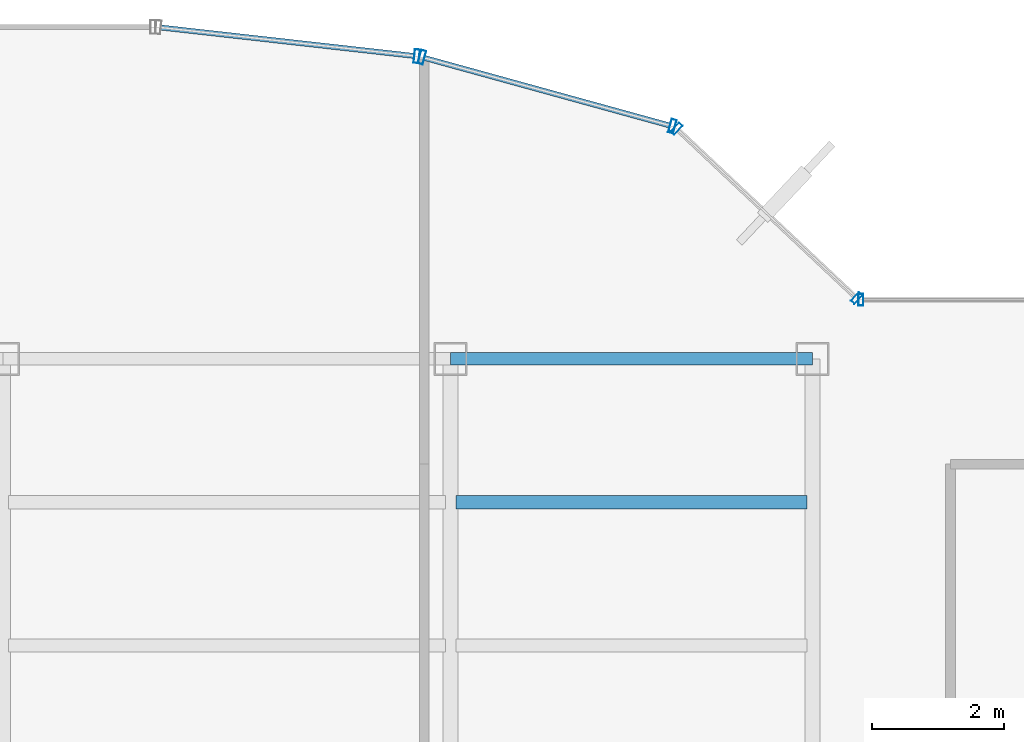
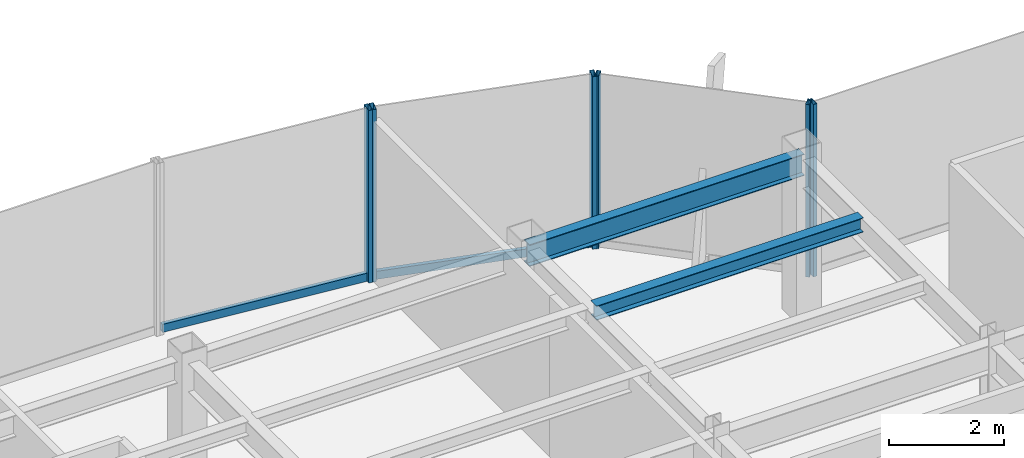
# One storey, part 14 of 22: 8 members, 2 beams, 4 elements without a shape of their own.
"""IFC4 building model written with IfcOpenShell, lengths in metres."""

from ifc_helpers import new_model, si_unit, derived_unit, direction, frame, origin, origin_2d, place, context, subcontext, project, spatial, hollow_rectangle, i_section, extrude, source, transform, mapped, material, material_profile, profile_set, type_object, element, aggregate, save


model = new_model("IFC4")

# Units and contexts
model_context = context("Model", 3, precision=1e-05, world=origin(), true_north=direction((0.0, 1.0)))
body_context = subcontext(model_context, "Body", "Model", "MODEL_VIEW")
ifc_project = project(units=[si_unit("LENGTHUNIT", "METRE"), si_unit("AREAUNIT", "SQUARE_METRE"), si_unit("VOLUMEUNIT", "CUBIC_METRE"), si_unit("PLANEANGLEUNIT", "RADIAN"), si_unit("MASSUNIT", "GRAM", prefix="KILO"), derived_unit("THERMALTRANSMITTANCEUNIT", [(si_unit("POWERUNIT", "WATT"), 1), (si_unit("LENGTHUNIT", "METRE"), -2), (si_unit("THERMODYNAMICTEMPERATUREUNIT", "KELVIN"), -1)])], contexts=[model_context])

# Site, building, storey
site_placement = place(None, origin())
site = spatial("IfcSite", under=ifc_project, at=site_placement, CompositionType="ELEMENT")
building_placement = place(site_placement, origin())
building = spatial("IfcBuilding", under=site, at=building_placement, Name="Skarnbrae Concourse Arena and Tower", CompositionType="ELEMENT")
storey_placement = place(building_placement, frame((0.0, 0.0, 258.800048828125)))
storey = spatial("IfcBuildingStorey", under=building, at=storey_placement, Name="L67", CompositionType="ELEMENT", Elevation=258.800048828125)

# Beams
ifc_material_1 = material(Name="Steel CSA G40.21 350W", Category="steel")
ifc_material_profile_1 = material_profile(ifc_material_1, i_section(OverallWidth=0.19091796875, OverallDepth=0.4599609375, WebThickness=0.010009765625, FlangeThickness=0.01611328125, at=origin_2d()), Name="W460X82")
ifc_profile_set_1 = profile_set([ifc_material_profile_1], Name="Steel CSA G40.21 350W")
beam_type_1 = type_object("IfcBeamType", Name="BM-SPAN-W460X82", PredefinedType="SPANDREL", material=ifc_profile_set_1)
shared_shape_1 = source(origin(), body_context, "Body", "SweptSolid", [
    extrude(i_section(OverallWidth=0.19091796875, OverallDepth=0.4599609375, WebThickness=0.010009765625, FlangeThickness=0.01611328125, at=origin_2d()), origin(), (0.0, 0.0, 1.0), 5.5),
])
beam_1_placement = place(storey_placement, frame((28.0, 34.39990234375, 3.169921875), z_axis=(1.0, 0.0, 0.0), x_axis=(0.0, 1.0, 0.0)))
element("IfcBeam", 1, at=beam_1_placement, inside=storey, type_object=beam_type_1, Name="L67 Perimeter spandrel Y34.4-4", PredefinedType="SPANDREL", context=body_context, shape_type="MappedRepresentation", body=[
    mapped(shared_shape_1, transform((0.0, 0.0, 0.0))),
])
ifc_material_profile_2 = material_profile(ifc_material_1, i_section(OverallWidth=0.202880859375, OverallDepth=0.302978515625, WebThickness=0.007568359375, FlangeThickness=0.01318359375, at=origin_2d()), Name="W310X60")
ifc_profile_set_2 = profile_set([ifc_material_profile_2], Name="Steel CSA G40.21 350W")
beam_type_2 = type_object("IfcBeamType", Name="BM-JOIST-W310X60", PredefinedType="JOIST", material=ifc_profile_set_2)
shared_shape_2 = source(origin(), body_context, "Body", "SweptSolid", [
    extrude(i_section(OverallWidth=0.202880859375, OverallDepth=0.302978515625, WebThickness=0.007568359375, FlangeThickness=0.01318359375, at=origin_2d()), origin(), (0.0, 0.0, 1.0), 5.33984375),
])
beam_2_placement = place(storey_placement, frame((28.080078125, 32.221923828125, 3.24853515625), z_axis=(1.0, 0.0, 0.0), x_axis=(0.0, 1.0, 0.0)))
element("IfcBeam", 2, at=beam_2_placement, inside=storey, type_object=beam_type_2, Name="L67 Secondary floor joist 3.2.4", PredefinedType="JOIST", context=body_context, shape_type="MappedRepresentation", body=[
    mapped(shared_shape_2, transform((0.0, 0.0, 0.0))),
])

# Curtain wall, members
ifc_material_2 = material(Name="Bronze anodised aluminium 6063-T6", Category="aluminium")
curtain_wall_type_1 = type_object("IfcCurtainWallType", Name="CW-SYS-03-PORTAL", PredefinedType="USERDEFINED", material=ifc_material_2)
curtain_wall_1_placement = place(storey_placement, origin())
curtain_wall_1 = element("IfcCurtainWall", 3, at=curtain_wall_1_placement, inside=storey, type_object=curtain_wall_type_1, Name="L67 Unitised curtain wall CW-L67-E09", ObjectType="UNITISED CURTAIN WALL", PredefinedType="USERDEFINED")
ifc_material_profile_3 = material_profile(ifc_material_2, hollow_rectangle(XDim=0.080078125, YDim=0.2099609375, WallThickness=0.00439453125, at=origin_2d()), Name="ALU-MULL-80X210")
ifc_profile_set_3 = profile_set([ifc_material_profile_3], Name="Bronze anodised aluminium 6063-T6")
member_type_1 = type_object("IfcMemberType", Name="CWM-CW-03", PredefinedType="MULLION", material=ifc_profile_set_3)
shared_shape_3 = source(origin(), body_context, "Body", "SweptSolid", [
    extrude(hollow_rectangle(XDim=0.080078125, YDim=0.2099609375, WallThickness=0.00439453125, at=origin_2d()), origin(), (0.0, 0.0, 1.0), 3.64990234375),
])
member_1_placement = place(storey_placement, frame((31.37109375, 37.937255859375, 0.0), z_axis=(0.0, 0.0, 1.0), x_axis=(-0.964057388766, 0.265694093207, 0.0)))
member_1 = element("IfcMember", 4, at=member_1_placement, type_object=member_type_1, Name="CW-L67-E09 Mullion 1", PredefinedType="MULLION", context=body_context, shape_type="MappedRepresentation", body=[
    mapped(shared_shape_3, transform((0.0, 0.0, 0.0))),
])
member_2_placement = place(storey_placement, frame((27.564453125, 38.986572265625, 0.0), z_axis=(0.0, 0.0, 1.0), x_axis=(-0.964057388766, 0.265694093207, 0.0)))
member_2 = element("IfcMember", 5, at=member_2_placement, type_object=member_type_1, Name="CW-L67-E09 Mullion 2", PredefinedType="MULLION", context=body_context, shape_type="MappedRepresentation", body=[
    mapped(shared_shape_3, transform((0.0, 0.0, 0.0))),
])

# Curtain wall, member
curtain_wall_2_placement = place(storey_placement, origin())
curtain_wall_2 = element("IfcCurtainWall", 6, at=curtain_wall_2_placement, inside=storey, type_object=curtain_wall_type_1, Name="L67 Unitised curtain wall CW-L67-E10", ObjectType="UNITISED CURTAIN WALL", PredefinedType="USERDEFINED")
member_3_placement = place(storey_placement, frame((27.486083984375, 39.001708984375, 0.0), z_axis=(0.0, 0.0, 1.0), x_axis=(-0.993768891873, 0.111460259941, 0.0)))
member_3 = element("IfcMember", 7, at=member_3_placement, type_object=member_type_1, Name="CW-L67-E10 Mullion 1", PredefinedType="MULLION", context=body_context, shape_type="MappedRepresentation", body=[
    mapped(shared_shape_3, transform((0.0, 0.0, 0.0))),
])

curtain_wall_type_2 = type_object("IfcCurtainWallType", Name="CW-SYS-05-HIGHZONE", PredefinedType="USERDEFINED", material=ifc_material_2)
curtain_wall_3_placement = place(storey_placement, origin())
curtain_wall_3 = element("IfcCurtainWall", 8, at=curtain_wall_3_placement, inside=storey, type_object=curtain_wall_type_2, Name="L67 Unitised curtain wall CW-L67-E07", ObjectType="UNITISED CURTAIN WALL", PredefinedType="USERDEFINED")
ifc_material_profile_4 = material_profile(ifc_material_2, hollow_rectangle(XDim=0.074951171875, YDim=0.179931640625, WallThickness=0.00390625, at=origin_2d()), Name="ALU-MULL-75X180")
ifc_profile_set_4 = profile_set([ifc_material_profile_4], Name="Bronze anodised aluminium 6063-T6")
member_type_2 = type_object("IfcMemberType", Name="CWM-CW-05", PredefinedType="MULLION", material=ifc_profile_set_4)
shared_shape_4 = source(origin(), body_context, "Body", "SweptSolid", [
    extrude(hollow_rectangle(XDim=0.074951171875, YDim=0.179931640625, WallThickness=0.00390625, at=origin_2d()), origin(), (0.0, 0.0, 1.0), 3.64990234375),
])
member_4_placement = place(storey_placement, frame((34.237548828125, 35.300048828125, 0.0), z_axis=(0.0, 0.0, 1.0), x_axis=(-1.0, 0.0, 0.0)))
member_4 = element("IfcMember", 9, at=member_4_placement, type_object=member_type_2, Name="CW-L67-E07 Mullion 2", PredefinedType="MULLION", context=body_context, shape_type="MappedRepresentation", body=[
    mapped(shared_shape_4, transform((0.0, 0.0, 0.0))),
])
aggregate(curtain_wall_3, [member_4])

# Curtain wall, members
curtain_wall_4_placement = place(storey_placement, origin())
curtain_wall_4 = element("IfcCurtainWall", 10, at=curtain_wall_4_placement, inside=storey, type_object=curtain_wall_type_2, Name="L67 Unitised curtain wall CW-L67-E08", ObjectType="UNITISED CURTAIN WALL", PredefinedType="USERDEFINED")
member_5_placement = place(storey_placement, frame((34.172607421875, 35.32568359375, 0.0), z_axis=(0.0, 0.0, 1.0), x_axis=(-0.728130555214, 0.685438468838, 0.0)))
member_5 = element("IfcMember", 11, at=member_5_placement, type_object=member_type_2, Name="CW-L67-E08 Mullion 1", PredefinedType="MULLION", context=body_context, shape_type="MappedRepresentation", body=[
    mapped(shared_shape_4, transform((0.0, 0.0, 0.0))),
])
member_6_placement = place(storey_placement, frame((31.43701171875, 37.90087890625, 0.0), z_axis=(0.0, 0.0, 1.0), x_axis=(-0.728130555214, 0.685438468838, 0.0)))
member_6 = element("IfcMember", 12, at=member_6_placement, type_object=member_type_2, Name="CW-L67-E08 Mullion 2", PredefinedType="MULLION", context=body_context, shape_type="MappedRepresentation", body=[
    mapped(shared_shape_4, transform((0.0, 0.0, 0.0))),
])
aggregate(curtain_wall_4, [member_5, member_6])

# Member
ifc_material_profile_5 = material_profile(ifc_material_2, hollow_rectangle(XDim=0.080078125, YDim=0.169921875, WallThickness=0.00439453125, at=origin_2d()), Name="ALU-TRAN-80X170")
ifc_profile_set_5 = profile_set([ifc_material_profile_5], Name="Bronze anodised aluminium 6063-T6")
member_type_3 = type_object("IfcMemberType", Name="CWT-CW-03", PredefinedType="USERDEFINED", material=ifc_profile_set_5)
shared_shape_5 = source(origin(), body_context, "Body", "SweptSolid", [
    extrude(hollow_rectangle(XDim=0.080078125, YDim=0.169921875, WallThickness=0.00439453125, at=origin_2d()), origin(), (0.0, 0.0, 1.0), 3.86865234375),
])
member_7_placement = place(storey_placement, frame((31.33251953125, 37.947998046875, 0.0849609375), z_axis=(-0.964062872218, 0.265674195983, 0.0), x_axis=(-0.265674195983, -0.964062872218, 0.0)))
member_7 = element("IfcMember", 13, at=member_7_placement, type_object=member_type_3, Name="CW-L67-E09 Transom 1", ObjectType="TRANSOM", PredefinedType="USERDEFINED", context=body_context, shape_type="MappedRepresentation", body=[
    mapped(shared_shape_5, transform((0.0, 0.0, 0.0))),
])

aggregate(curtain_wall_1, [member_1, member_2, member_7])

shared_shape_6 = source(origin(), body_context, "Body", "SweptSolid", [
    extrude(hollow_rectangle(XDim=0.080078125, YDim=0.169921875, WallThickness=0.00439453125, at=origin_2d()), origin(), (0.0, 0.0, 1.0), 3.873779296875),
])
member_8_placement = place(storey_placement, frame((27.4462890625, 39.006103515625, 0.0849609375), z_axis=(-0.993772558096, 0.111427567397, 0.0), x_axis=(-0.111427567397, -0.993772558096, 0.0)))
member_8 = element("IfcMember", 14, at=member_8_placement, type_object=member_type_3, Name="CW-L67-E10 Transom 1", ObjectType="TRANSOM", PredefinedType="USERDEFINED", context=body_context, shape_type="MappedRepresentation", body=[
    mapped(shared_shape_6, transform((0.0, 0.0, 0.0))),
])

aggregate(curtain_wall_2, [member_3, member_8])

save(model, "model.ifc")
